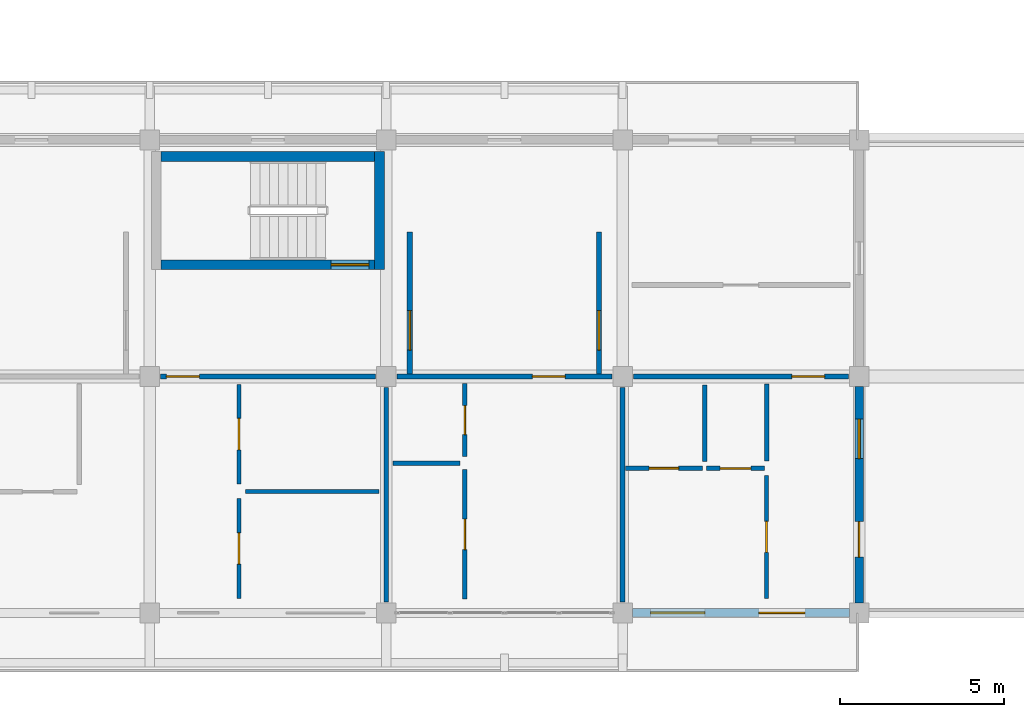
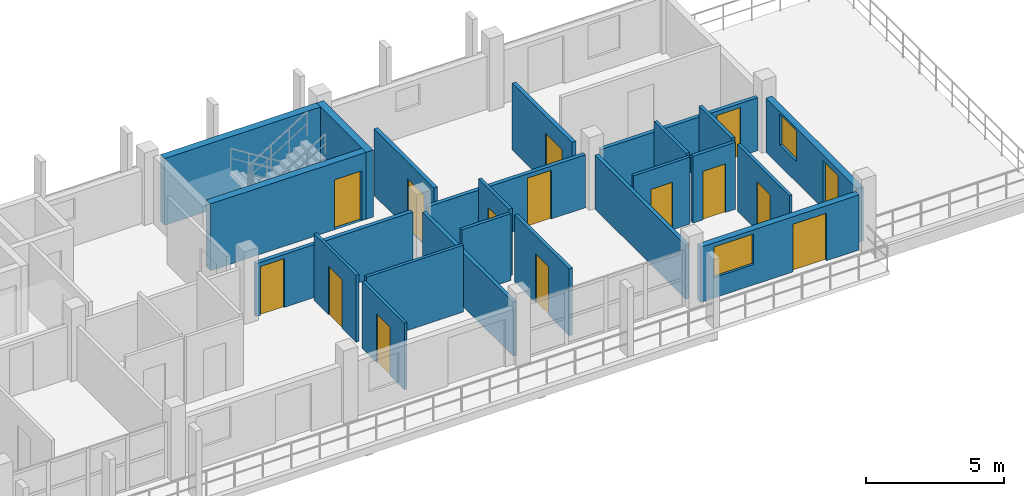
# One storey, part 42 of 78: 23 walls, 15 doors, 2 windows, 17 openings.
"""IFC4 building model written with IfcOpenShell, lengths in metres."""

from ifc_helpers import new_model, si_unit, direction, frame, frame_2d, origin, place, context, subcontext, project, spatial, rectangle, extrude, material, layer, layer_set, type_object, element, fill, save


model = new_model("IFC4")

# Units and contexts
model_context = context("Model", 3, precision=1e-05, world=origin(), true_north=direction((0.0, 1.0)))
body_context = subcontext(model_context, "Body", "Model", "MODEL_VIEW")
ifc_project = project(units=[si_unit("LENGTHUNIT", "METRE"), si_unit("AREAUNIT", "SQUARE_METRE"), si_unit("VOLUMEUNIT", "CUBIC_METRE"), si_unit("PLANEANGLEUNIT", "RADIAN"), si_unit("MASSUNIT", "GRAM", prefix="KILO")], contexts=[model_context])

# Site, building, storey
site_placement = place(None, origin())
site = spatial("IfcSite", under=ifc_project, at=site_placement, CompositionType="ELEMENT")
building_placement = place(site_placement, origin())
building = spatial("IfcBuilding", under=site, at=building_placement, Name="Suanplinth Sawtooth Commons", CompositionType="ELEMENT")
storey_placement = place(building_placement, frame((0.0, 0.0, 15.39990234375)))
storey = spatial("IfcBuildingStorey", under=building, at=storey_placement, Name="L04", CompositionType="ELEMENT", Elevation=15.39990234375)

# Wall, opening, door
ifc_material_1 = material(Name="Concrete C40/50", Category="concrete")
ifc_layer_1 = layer(ifc_material_1, 0.300048828125, Name="Standard RC stair and lift core wall 300mm")
ifc_layer_set_1 = layer_set([ifc_layer_1], Name="Concrete C40/50")
wall_type_1 = type_object("IfcWallType", Name="W-CR02", PredefinedType="SHEAR", material=ifc_layer_set_1)
wall_1_placement = place(storey_placement, frame((29.14990234375, 10.60009765625, 0.0), z_axis=(0.0, 0.0, 1.0), x_axis=(1.0, 0.0, 0.0)))
wall_1 = element("IfcWall", 1, at=wall_1_placement, inside=storey, type_object=wall_type_1, Name="W-L04-C-D2-STS", PredefinedType="SHEAR", context=body_context, shape_type="SweptSolid", body=[
    extrude(rectangle(XDim=6.5, YDim=0.300048828125, at=frame_2d((3.25, 0.0))), origin(), (0.0, 0.0, 1.0), 2.9501953125),
])
opening_1_placement = place(wall_1_placement, frame((5.169921875, 0.0, 0.0)))
opening_1 = element("IfcOpeningElement", 2, at=opening_1_placement, cuts=wall_1, Name="Opening FD0412", PredefinedType="OPENING", context=body_context, shape_type="SweptSolid", body=[
    extrude(rectangle(XDim=1.14990234375, YDim=2.199951171875, at=frame_2d((0.574951171875, 1.10009765625))), frame((0.0, 0.1650390625, 0.0), z_axis=(0.0, -1.0, 0.0), x_axis=(1.0, 0.0, 0.0)), (0.0, 0.0, 1.0), 0.329833984375),
])
ifc_material_2 = material(Name="Teak hardwood fire-rated door assembly", Category="wood")
door_type_1 = type_object("IfcDoorType", Name="FD-01", OperationType="NOTDEFINED", PredefinedType="DOOR", material=ifc_material_2)
door_1_placement = place(opening_1_placement, origin())
door_1 = element("IfcDoor", 3, at=door_1_placement, inside=storey, type_object=door_type_1, Name="Exit Stair Fire Door FD0412", OperationType="SINGLE_SWING_LEFT", OverallHeight=2.199951171875, OverallWidth=1.14990234375, PredefinedType="DOOR", context=body_context, shape_type="SweptSolid", body=[
    extrude(rectangle(XDim=1.14990234375, YDim=2.199951171875, at=frame_2d((0.574951171875, 1.10009765625))), frame((0.0, 0.02490234375, 0.0), z_axis=(0.0, -1.0, 0.0), x_axis=(1.0, 0.0, 0.0)), (0.0, 0.0, 1.0), 0.050048828125),
])
fill(opening_1, door_1)

# Walls
wall_2_placement = place(storey_placement, frame((29.14990234375, 13.89990234375, 0.0), z_axis=(0.0, 0.0, 1.0), x_axis=(1.0, 0.0, 0.0)))
element("IfcWall", 4, at=wall_2_placement, inside=storey, type_object=wall_type_1, Name="W-L04-C-D2-STN", PredefinedType="SHEAR", context=body_context, shape_type="SweptSolid", body=[
    extrude(rectangle(XDim=6.5, YDim=0.300048828125, at=frame_2d((3.25, 0.0))), origin(), (0.0, 0.0, 1.0), 2.9501953125),
])
wall_3_placement = place(storey_placement, frame((35.800048828125, 10.449951171875, 0.0), z_axis=(0.0, 0.0, 1.0), x_axis=(0.0, 1.0, 0.0)))
element("IfcWall", 5, at=wall_3_placement, inside=storey, type_object=wall_type_1, Name="W-L04-C-D2-STE", PredefinedType="SHEAR", context=body_context, shape_type="SweptSolid", body=[
    extrude(rectangle(XDim=3.60009765625, YDim=0.300048828125, at=frame_2d((1.800048828125, 0.0))), origin(), (0.0, 0.0, 1.0), 2.9501953125),
])

# Wall, openings, door, window
ifc_material_3 = material(Name="Precast concrete C40/50", Category="concrete")
ifc_layer_2 = layer(ifc_material_3, 0.260009765625, Name="Insulated precast courtyard facade wall 260mm")
ifc_layer_set_2 = layer_set([ifc_layer_2], Name="Precast concrete C40/50")
wall_type_2 = type_object("IfcWallType", Name="W-EX02", PredefinedType="ELEMENTEDWALL", material=ifc_layer_set_2)
wall_4_placement = place(storey_placement, frame((43.5, 0.0, 0.0), z_axis=(0.0, 0.0, 1.0), x_axis=(1.0, 0.0, 0.0)))
wall_4 = element("IfcWall", 6, at=wall_4_placement, inside=storey, type_object=wall_type_2, Name="Facade Wall W-L04-D-S-6-0", PredefinedType="ELEMENTEDWALL", context=body_context, shape_type="SweptSolid", body=[
    extrude(rectangle(XDim=6.60009765625, YDim=0.260009765625, at=frame_2d((3.300048828125, 0.0))), origin(), (0.0, 0.0, 1.0), 2.43017578125),
])
opening_2_placement = place(wall_4_placement, frame((3.85009765625, 0.0, 0.0)))
opening_2 = element("IfcOpeningElement", 7, at=opening_2_placement, cuts=wall_4, Name="Opening ED0392", PredefinedType="OPENING", context=body_context, shape_type="SweptSolid", body=[
    extrude(rectangle(XDim=1.39990234375, YDim=2.10009765625, at=frame_2d((0.699951171875, 1.050048828125))), frame((0.0, 0.14501953125, 0.0), z_axis=(0.0, -1.0, 0.0), x_axis=(1.0, 0.0, 0.0)), (0.0, 0.0, 1.0), 0.289794921875),
])
opening_3_placement = place(wall_4_placement, frame((0.550048828125, 0.0, 0.89990234375)))
opening_3 = element("IfcOpeningElement", 8, at=opening_3_placement, cuts=wall_4, Name="Opening W0489", PredefinedType="OPENING", context=body_context, shape_type="SweptSolid", body=[
    extrude(rectangle(XDim=1.64990234375, YDim=1.35009765625, at=frame_2d((0.824951171875, 0.675048828125))), frame((0.0, 0.14501953125, 0.0), z_axis=(0.0, -1.0, 0.0), x_axis=(1.0, 0.0, 0.0)), (0.0, 0.0, 1.0), 0.289794921875),
])
ifc_material_4 = material(Name="Anodized aluminium and low-E glass", Category="aluminium")
door_type_2 = type_object("IfcDoorType", Name="SD-07", OperationType="SLIDING_TO_RIGHT", PredefinedType="DOOR", material=ifc_material_4)
door_2_placement = place(opening_2_placement, frame((1.39990234375, 0.0, 0.0), z_axis=(0.0, 0.0, 1.0), x_axis=(-1.0, 0.0, 0.0)))
door_2 = element("IfcDoor", 9, at=door_2_placement, inside=storey, type_object=door_type_2, Name="Balcony Sliding Door L04-D-6", OperationType="SLIDING_TO_RIGHT", OverallHeight=2.10009765625, OverallWidth=1.39990234375, PredefinedType="DOOR", context=body_context, shape_type="SweptSolid", body=[
    extrude(rectangle(XDim=1.39990234375, YDim=2.10009765625, at=frame_2d((0.699951171875, 1.050048828125))), frame((0.0, 0.02490234375, 0.0), z_axis=(0.0, -1.0, 0.0), x_axis=(1.0, 0.0, 0.0)), (0.0, 0.0, 1.0), 0.050048828125),
])
fill(opening_2, door_2)
ifc_material_5 = material(Name="Thermally broken aluminium and low-E double glazing", Category="aluminium")
window_type_1 = type_object("IfcWindowType", Name="WN-19", PartitioningType="DOUBLE_PANEL_VERTICAL", PredefinedType="WINDOW", material=ifc_material_5)
window_1_placement = place(opening_3_placement, origin())
window_1 = element("IfcWindow", 10, at=window_1_placement, inside=storey, type_object=window_type_1, Name="Apartment Window L04-D-6", OverallHeight=1.35009765625, OverallWidth=1.64990234375, PartitioningType="DOUBLE_PANEL_VERTICAL", PredefinedType="WINDOW", context=body_context, shape_type="SweptSolid", body=[
    extrude(rectangle(XDim=1.64990234375, YDim=1.35009765625, at=frame_2d((0.824951171875, 0.675048828125))), frame((0.0, 0.030029296875, 0.0), z_axis=(0.0, -1.0, 0.0), x_axis=(1.0, 0.0, 0.0)), (0.0, 0.0, 1.0), 0.06005859375),
])
fill(opening_3, window_1)

wall_5_placement = place(storey_placement, frame((50.39990234375, 0.300048828125, 0.0), z_axis=(0.0, 0.0, 1.0), x_axis=(0.0, 1.0, 0.0)))
wall_5 = element("IfcWall", 11, at=wall_5_placement, inside=storey, type_object=wall_type_2, Name="Facade Wall W-L04-D-E-6-0", PredefinedType="ELEMENTEDWALL", context=body_context, shape_type="SweptSolid", body=[
    extrude(rectangle(XDim=6.599853515625, YDim=0.260009765625, at=frame_2d((3.2998046875, 0.0))), origin(), (0.0, 0.0, 1.0), 2.385009765625),
])
opening_4_placement = place(wall_5_placement, frame((1.39990234375, 0.0, 0.0)))
opening_4 = element("IfcOpeningElement", 12, at=opening_4_placement, cuts=wall_5, Name="Opening ED0393", PredefinedType="OPENING", context=body_context, shape_type="SweptSolid", body=[
    extrude(rectangle(XDim=1.080078125, YDim=2.1201171875, at=frame_2d((0.5400390625, 1.06005859375))), frame((0.0, 0.14501953125, 0.0), z_axis=(0.0, -1.0, 0.0), x_axis=(1.0, 0.0, 0.0)), (0.0, 0.0, 1.0), 0.289794921875),
])
opening_5_placement = place(wall_5_placement, frame((4.39990234375, 0.0, 0.925048828125)))
opening_5 = element("IfcOpeningElement", 13, at=opening_5_placement, cuts=wall_5, Name="Opening W0490", PredefinedType="OPENING", context=body_context, shape_type="SweptSolid", body=[
    extrude(rectangle(XDim=1.199951171875, YDim=1.35009765625, at=frame_2d((0.60009765625, 0.675048828125))), frame((0.0, 0.14501953125, 0.0), z_axis=(0.0, -1.0, 0.0), x_axis=(1.0, 0.0, 0.0)), (0.0, 0.0, 1.0), 0.289794921875),
])
door_type_3 = type_object("IfcDoorType", Name="ED-10", OperationType="NOTDEFINED", PredefinedType="DOOR", material=ifc_material_4)
door_3_placement = place(opening_4_placement, frame((1.080078125, 0.0, 0.0), z_axis=(0.0, 0.0, 1.0), x_axis=(-1.0, 0.0, 0.0)))
door_3 = element("IfcDoor", 14, at=door_3_placement, inside=storey, type_object=door_type_3, Name="L04 Block D Stepped Sky-Terrace Door 2", OperationType="SINGLE_SWING_RIGHT", OverallHeight=2.1201171875, OverallWidth=1.080078125, PredefinedType="DOOR", context=body_context, shape_type="SweptSolid", body=[
    extrude(rectangle(XDim=1.080078125, YDim=2.1201171875, at=frame_2d((0.5400390625, 1.06005859375))), frame((0.0, 0.02490234375, 0.0), z_axis=(0.0, -1.0, 0.0), x_axis=(1.0, 0.0, 0.0)), (0.0, 0.0, 1.0), 0.050048828125),
])
fill(opening_4, door_3)
window_type_2 = type_object("IfcWindowType", Name="WN-03", PartitioningType="SINGLE_PANEL", PredefinedType="WINDOW", material=ifc_material_5)
window_2_placement = place(opening_5_placement, origin())
window_2 = element("IfcWindow", 15, at=window_2_placement, inside=storey, type_object=window_type_2, Name="Terrace Bedroom Window L04-D-6-0", OverallHeight=1.35009765625, OverallWidth=1.199951171875, PartitioningType="SINGLE_PANEL", PredefinedType="WINDOW", context=body_context, shape_type="SweptSolid", body=[
    extrude(rectangle(XDim=1.199951171875, YDim=1.35009765625, at=frame_2d((0.60009765625, 0.675048828125))), frame((0.0, 0.030029296875, 0.0), z_axis=(0.0, -1.0, 0.0), x_axis=(1.0, 0.0, 0.0)), (0.0, 0.0, 1.0), 0.06005859375),
])
fill(opening_5, window_2)

# Wall, opening, door
ifc_layer_3 = layer(ifc_material_3, 0.159912109375, Name="Fire-rated corridor and lobby wall 160mm")
ifc_layer_set_3 = layer_set([ifc_layer_3], Name="Precast concrete C40/50")
wall_type_3 = type_object("IfcWallType", Name="W-FW01", PredefinedType="PARTITIONING", material=ifc_layer_set_3)
wall_6_placement = place(storey_placement, frame((36.719970703125, 7.280029296875, 0.0), z_axis=(0.0, 0.0, 1.0), x_axis=(0.0, 1.0, 0.0)))
wall_6 = element("IfcWall", 16, at=wall_6_placement, inside=storey, type_object=wall_type_3, Name="W-L04-C-D2-LOB-W", PredefinedType="PARTITIONING", context=body_context, shape_type="SweptSolid", body=[
    extrude(rectangle(XDim=4.320068359375, YDim=0.159912109375, at=frame_2d((2.16015625, 0.0))), origin(), (0.0, 0.0, 1.0), 2.9501953125),
])
opening_6_placement = place(wall_6_placement, frame((0.719970703125, 0.0, 0.0)))
opening_6 = element("IfcOpeningElement", 17, at=opening_6_placement, cuts=wall_6, Name="Opening FD0413", PredefinedType="OPENING", context=body_context, shape_type="SweptSolid", body=[
    extrude(rectangle(XDim=1.199951171875, YDim=2.199951171875, at=frame_2d((0.60009765625, 1.10009765625))), frame((0.0, 0.0947265625, 0.0), z_axis=(0.0, -1.0, 0.0), x_axis=(1.0, 0.0, 0.0)), (0.0, 0.0, 1.0), 0.189697265625),
])
door_type_4 = type_object("IfcDoorType", Name="FD-02", OperationType="NOTDEFINED", PredefinedType="DOOR", material=ifc_material_2)
door_4_placement = place(opening_6_placement, origin())
door_4 = element("IfcDoor", 18, at=door_4_placement, inside=storey, type_object=door_type_4, Name="Lobby Fire Door FD0413", OperationType="SINGLE_SWING_RIGHT", OverallHeight=2.199951171875, OverallWidth=1.199951171875, PredefinedType="DOOR", context=body_context, shape_type="SweptSolid", body=[
    extrude(rectangle(XDim=1.199951171875, YDim=2.199951171875, at=frame_2d((0.60009765625, 1.10009765625))), frame((0.0, 0.02490234375, 0.0), z_axis=(0.0, -1.0, 0.0), x_axis=(1.0, 0.0, 0.0)), (0.0, 0.0, 1.0), 0.050048828125),
])
fill(opening_6, door_4)

wall_7_placement = place(storey_placement, frame((42.47998046875, 7.280029296875, 0.0), z_axis=(0.0, 0.0, 1.0), x_axis=(0.0, 1.0, 0.0)))
wall_7 = element("IfcWall", 19, at=wall_7_placement, inside=storey, type_object=wall_type_3, Name="W-L04-C-D2-LOB-E", PredefinedType="PARTITIONING", context=body_context, shape_type="SweptSolid", body=[
    extrude(rectangle(XDim=4.320068359375, YDim=0.159912109375, at=frame_2d((2.16015625, 0.0))), origin(), (0.0, 0.0, 1.0), 2.9501953125),
])
opening_7_placement = place(wall_7_placement, frame((0.719970703125, 0.0, 0.0)))
opening_7 = element("IfcOpeningElement", 20, at=opening_7_placement, cuts=wall_7, Name="Opening FD0414", PredefinedType="OPENING", context=body_context, shape_type="SweptSolid", body=[
    extrude(rectangle(XDim=1.199951171875, YDim=2.199951171875, at=frame_2d((0.60009765625, 1.10009765625))), frame((0.0, 0.0947265625, 0.0), z_axis=(0.0, -1.0, 0.0), x_axis=(1.0, 0.0, 0.0)), (0.0, 0.0, 1.0), 0.189697265625),
])
door_5_placement = place(opening_7_placement, frame((1.199951171875, 0.0, 0.0), z_axis=(0.0, 0.0, 1.0), x_axis=(-1.0, 0.0, 0.0)))
door_5 = element("IfcDoor", 21, at=door_5_placement, inside=storey, type_object=door_type_4, Name="Lobby Fire Door FD0414", OperationType="SINGLE_SWING_LEFT", OverallHeight=2.199951171875, OverallWidth=1.199951171875, PredefinedType="DOOR", context=body_context, shape_type="SweptSolid", body=[
    extrude(rectangle(XDim=1.199951171875, YDim=2.199951171875, at=frame_2d((0.60009765625, 1.10009765625))), frame((0.0, 0.02490234375, 0.0), z_axis=(0.0, -1.0, 0.0), x_axis=(1.0, 0.0, 0.0)), (0.0, 0.0, 1.0), 0.050048828125),
])
fill(opening_7, door_5)

wall_8_placement = place(storey_placement, frame((29.1298828125, 7.199951171875, 0.0), z_axis=(0.0, 0.0, 1.0), x_axis=(1.0, 0.0, 0.0)))
wall_8 = element("IfcWall", 22, at=wall_8_placement, inside=storey, type_object=wall_type_3, Name="W-D-L04-U03-COR-S2", PredefinedType="PARTITIONING", context=body_context, shape_type="SweptSolid", body=[
    extrude(rectangle(XDim=6.5400390625, YDim=0.159912109375, at=frame_2d((3.27001953125, 0.0))), origin(), (0.0, 0.0, 1.0), 2.335205078125),
])
opening_8_placement = place(wall_8_placement, frame((0.179931640625, 0.0, 0.0)))
opening_8 = element("IfcOpeningElement", 23, at=opening_8_placement, cuts=wall_8, Name="Opening FD1175", PredefinedType="OPENING", context=body_context, shape_type="SweptSolid", body=[
    extrude(rectangle(XDim=1.0, YDim=2.14990234375, at=frame_2d((0.5, 1.074951171875))), frame((0.0, 0.0947265625, 0.0), z_axis=(0.0, -1.0, 0.0), x_axis=(1.0, 0.0, 0.0)), (0.0, 0.0, 1.0), 0.189697265625),
])
door_type_5 = type_object("IfcDoorType", Name="FD-03", OperationType="NOTDEFINED", PredefinedType="DOOR", material=ifc_material_2)
door_6_placement = place(opening_8_placement, frame((1.0, 0.0, 0.0), z_axis=(0.0, 0.0, 1.0), x_axis=(-1.0, 0.0, 0.0)))
door_6 = element("IfcDoor", 24, at=door_6_placement, inside=storey, type_object=door_type_5, Name="Unit Entrance Door FD1175", OperationType="SINGLE_SWING_LEFT", OverallHeight=2.14990234375, OverallWidth=1.0, PredefinedType="DOOR", context=body_context, shape_type="SweptSolid", body=[
    extrude(rectangle(XDim=1.0, YDim=2.14990234375, at=frame_2d((0.5, 1.074951171875))), frame((0.0, 0.02490234375, 0.0), z_axis=(0.0, -1.0, 0.0), x_axis=(1.0, 0.0, 0.0)), (0.0, 0.0, 1.0), 0.050048828125),
])
fill(opening_8, door_6)

wall_9_placement = place(storey_placement, frame((36.330078125, 7.199951171875, 0.0), z_axis=(0.0, 0.0, 1.0), x_axis=(1.0, 0.0, 0.0)))
wall_9 = element("IfcWall", 25, at=wall_9_placement, inside=storey, type_object=wall_type_3, Name="W-D-L04-U04-COR", PredefinedType="PARTITIONING", context=body_context, shape_type="SweptSolid", body=[
    extrude(rectangle(XDim=6.5400390625, YDim=0.159912109375, at=frame_2d((3.27001953125, 0.0))), origin(), (0.0, 0.0, 1.0), 2.335205078125),
])
opening_9_placement = place(wall_9_placement, frame((4.1201171875, 0.0, 0.0)))
opening_9 = element("IfcOpeningElement", 26, at=opening_9_placement, cuts=wall_9, Name="Opening FD1180", PredefinedType="OPENING", context=body_context, shape_type="SweptSolid", body=[
    extrude(rectangle(XDim=1.0, YDim=2.14990234375, at=frame_2d((0.5, 1.074951171875))), frame((0.0, 0.0947265625, 0.0), z_axis=(0.0, -1.0, 0.0), x_axis=(1.0, 0.0, 0.0)), (0.0, 0.0, 1.0), 0.189697265625),
])
door_7_placement = place(opening_9_placement, frame((1.0, 0.0, 0.0), z_axis=(0.0, 0.0, 1.0), x_axis=(-1.0, 0.0, 0.0)))
door_7 = element("IfcDoor", 27, at=door_7_placement, inside=storey, type_object=door_type_5, Name="Unit Entrance Door FD1180", OperationType="SINGLE_SWING_RIGHT", OverallHeight=2.14990234375, OverallWidth=1.0, PredefinedType="DOOR", context=body_context, shape_type="SweptSolid", body=[
    extrude(rectangle(XDim=1.0, YDim=2.14990234375, at=frame_2d((0.5, 1.074951171875))), frame((0.0, 0.02490234375, 0.0), z_axis=(0.0, -1.0, 0.0), x_axis=(1.0, 0.0, 0.0)), (0.0, 0.0, 1.0), 0.050048828125),
])
fill(opening_9, door_7)

wall_10_placement = place(storey_placement, frame((43.530029296875, 7.199951171875, 0.0), z_axis=(0.0, 0.0, 1.0), x_axis=(1.0, 0.0, 0.0)))
wall_10 = element("IfcWall", 28, at=wall_10_placement, inside=storey, type_object=wall_type_3, Name="W-D-L04-U05-COR", PredefinedType="PARTITIONING", context=body_context, shape_type="SweptSolid", body=[
    extrude(rectangle(XDim=6.5400390625, YDim=0.159912109375, at=frame_2d((3.27001953125, 0.0))), origin(), (0.0, 0.0, 1.0), 2.335205078125),
])
opening_10_placement = place(wall_10_placement, frame((4.820068359375, 0.0, 0.0)))
opening_10 = element("IfcOpeningElement", 29, at=opening_10_placement, cuts=wall_10, Name="Opening FD1183", PredefinedType="OPENING", context=body_context, shape_type="SweptSolid", body=[
    extrude(rectangle(XDim=1.0, YDim=2.14990234375, at=frame_2d((0.5, 1.074951171875))), frame((0.0, 0.0947265625, 0.0), z_axis=(0.0, -1.0, 0.0), x_axis=(1.0, 0.0, 0.0)), (0.0, 0.0, 1.0), 0.189697265625),
])
door_8_placement = place(opening_10_placement, frame((1.0, 0.0, 0.0), z_axis=(0.0, 0.0, 1.0), x_axis=(-1.0, 0.0, 0.0)))
door_8 = element("IfcDoor", 30, at=door_8_placement, inside=storey, type_object=door_type_5, Name="Unit Entrance Door FD1183", OperationType="SINGLE_SWING_LEFT", OverallHeight=2.14990234375, OverallWidth=1.0, PredefinedType="DOOR", context=body_context, shape_type="SweptSolid", body=[
    extrude(rectangle(XDim=1.0, YDim=2.14990234375, at=frame_2d((0.5, 1.074951171875))), frame((0.0, 0.02490234375, 0.0), z_axis=(0.0, -1.0, 0.0), x_axis=(1.0, 0.0, 0.0)), (0.0, 0.0, 1.0), 0.050048828125),
])
fill(opening_10, door_8)

# Walls
ifc_layer_4 = layer(ifc_material_3, 0.14990234375, Name="Acoustic precast party demising wall 150mm")
ifc_layer_set_4 = layer_set([ifc_layer_4], Name="Precast concrete C40/50")
wall_type_4 = type_object("IfcWallType", Name="W-FW02", PredefinedType="PARTITIONING", material=ifc_layer_set_4)
for number, where, z_axis, x_axis, name in (
    (31, (36.0, 0.330078125, 0.0), (0.0, 0.0, 1.0), (0.0, 1.0, 0.0), "W-D-L04-U03-PTY"),
    (32, (43.199951171875, 0.330078125, 0.0), (0.0, 0.0, 1.0), (0.0, 1.0, 0.0), "W-D-L04-U04-PTY"),
):
    element("IfcWall", number, at=place(storey_placement, frame(where, z_axis=z_axis, x_axis=x_axis)), inside=storey, type_object=wall_type_4, Name=name, PredefinedType="PARTITIONING", context=body_context, shape_type="SweptSolid", body=[
        extrude(rectangle(XDim=6.5400390625, YDim=0.14990234375, at=frame_2d((3.27001953125, 0.0))), origin(), (0.0, 0.0, 1.0), 2.385009765625),
    ])

# Wall, opening, door
ifc_material_6 = material(Name="Gypsum plasterboard on steel stud", Category="steel")
ifc_layer_5 = layer(ifc_material_6, 0.139892578125, Name="Fire-rated kitchen partition 140mm")
ifc_layer_set_5 = layer_set([ifc_layer_5], Name="Gypsum plasterboard on steel stud")
wall_type_5 = type_object("IfcWallType", Name="W-PT01", PredefinedType="PARTITIONING", material=ifc_layer_set_5)
wall_11_placement = place(storey_placement, frame((38.39501953125, 0.419921875, 0.0), z_axis=(0.0, 0.0, 1.0), x_axis=(0.0, 1.0, 0.0)))
wall_11 = element("IfcWall", 33, at=wall_11_placement, inside=storey, type_object=wall_type_5, Name="W-D-L04-U04-KITE", PredefinedType="PARTITIONING", context=body_context, shape_type="SweptSolid", body=[
    extrude(rectangle(XDim=3.940185546875, YDim=0.139892578125, at=frame_2d((1.97021484375, 0.0))), origin(), (0.0, 0.0, 1.0), 2.9501953125),
])
opening_11_placement = place(wall_11_placement, frame((1.5048828125, 0.0, 0.0)))
opening_11 = element("IfcOpeningElement", 34, at=opening_11_placement, cuts=wall_11, Name="Opening D1182", PredefinedType="OPENING", context=body_context, shape_type="SweptSolid", body=[
    extrude(rectangle(XDim=0.929931640625, YDim=2.139892578125, at=frame_2d((0.46484375, 1.06982421875))), frame((0.0, 0.0849609375, 0.0), z_axis=(0.0, -1.0, 0.0), x_axis=(1.0, 0.0, 0.0)), (0.0, 0.0, 1.0), 0.169677734375),
])
ifc_material_7 = material(Name="Teak hardwood", Category="wood")
door_type_6 = type_object("IfcDoorType", Name="D-19", OperationType="NOTDEFINED", PredefinedType="DOOR", material=ifc_material_7)
door_9_placement = place(opening_11_placement, origin())
door_9 = element("IfcDoor", 35, at=door_9_placement, inside=storey, type_object=door_type_6, Name="Kitchen Door D1182", OperationType="SINGLE_SWING_RIGHT", OverallHeight=2.139892578125, OverallWidth=0.929931640625, PredefinedType="DOOR", context=body_context, shape_type="SweptSolid", body=[
    extrude(rectangle(XDim=0.929931640625, YDim=2.139892578125, at=frame_2d((0.46484375, 1.06982421875))), frame((0.0, 0.02490234375, 0.0), z_axis=(0.0, -1.0, 0.0), x_axis=(1.0, 0.0, 0.0)), (0.0, 0.0, 1.0), 0.050048828125),
])
fill(opening_11, door_9)

wall_12_placement = place(storey_placement, frame((45.75, 4.39990234375, 0.0), z_axis=(0.0, 0.0, 1.0), x_axis=(1.0, 0.0, 0.0)))
wall_12 = element("IfcWall", 36, at=wall_12_placement, inside=storey, type_object=wall_type_5, Name="W-D-L04-U05-KIT1", PredefinedType="PARTITIONING", context=body_context, shape_type="SweptSolid", body=[
    extrude(rectangle(XDim=1.77001953125, YDim=0.139892578125, at=frame_2d((0.885009765625, 0.0))), origin(), (0.0, 0.0, 1.0), 2.9501953125),
])
opening_12_placement = place(wall_12_placement, frame((0.419921875, 0.0, 0.0)))
opening_12 = element("IfcOpeningElement", 37, at=opening_12_placement, cuts=wall_12, Name="Opening D1185", PredefinedType="OPENING", context=body_context, shape_type="SweptSolid", body=[
    extrude(rectangle(XDim=0.929931640625, YDim=2.139892578125, at=frame_2d((0.46484375, 1.06982421875))), frame((0.0, 0.0849609375, 0.0), z_axis=(0.0, -1.0, 0.0), x_axis=(1.0, 0.0, 0.0)), (0.0, 0.0, 1.0), 0.169677734375),
])
door_10_placement = place(opening_12_placement, origin())
door_10 = element("IfcDoor", 38, at=door_10_placement, inside=storey, type_object=door_type_6, Name="Kitchen Door D1185", OperationType="SINGLE_SWING_LEFT", OverallHeight=2.139892578125, OverallWidth=0.929931640625, PredefinedType="DOOR", context=body_context, shape_type="SweptSolid", body=[
    extrude(rectangle(XDim=0.929931640625, YDim=2.139892578125, at=frame_2d((0.46484375, 1.06982421875))), frame((0.0, 0.02490234375, 0.0), z_axis=(0.0, -1.0, 0.0), x_axis=(1.0, 0.0, 0.0)), (0.0, 0.0, 1.0), 0.050048828125),
])
fill(opening_12, door_10)

# Walls
wall_13_placement = place(storey_placement, frame((47.590087890625, 4.6201171875, 0.0), z_axis=(0.0, 0.0, 1.0), x_axis=(0.0, 1.0, 0.0)))
element("IfcWall", 39, at=wall_13_placement, inside=storey, type_object=wall_type_5, Name="W-D-L04-U05-KIT2", PredefinedType="PARTITIONING", context=body_context, shape_type="SweptSolid", body=[
    extrude(rectangle(XDim=2.349853515625, YDim=0.139892578125, at=frame_2d((1.1748046875, 0.0))), origin(), (0.0, 0.0, 1.0), 2.9501953125),
])
ifc_layer_6 = layer(ifc_material_6, 0.1298828125, Name="Moisture-resistant bathroom partition 130mm")
ifc_layer_set_6 = layer_set([ifc_layer_6], Name="Gypsum plasterboard on steel stud")
wall_type_6 = type_object("IfcWallType", Name="W-PT02", PredefinedType="PARTITIONING", material=ifc_layer_set_6)
wall_14_placement = place(storey_placement, frame((36.199951171875, 4.56005859375, 0.0), z_axis=(0.0, 0.0, 1.0), x_axis=(1.0, 0.0, 0.0)))
element("IfcWall", 40, at=wall_14_placement, inside=storey, type_object=wall_type_6, Name="W-D-L04-U04-STDIV", PredefinedType="PARTITIONING", context=body_context, shape_type="SweptSolid", body=[
    extrude(rectangle(XDim=2.050048828125, YDim=0.1298828125, at=frame_2d((1.02490234375, 0.0))), origin(), (0.0, 0.0, 1.0), 2.9501953125),
])

# Wall, opening, door
wall_15_placement = place(storey_placement, frame((38.39501953125, 4.760009765625, 0.0), z_axis=(0.0, 0.0, 1.0), x_axis=(0.0, 1.0, 0.0)))
wall_15 = element("IfcWall", 41, at=wall_15_placement, inside=storey, type_object=wall_type_6, Name="W-D-L04-U04-BTHE", PredefinedType="PARTITIONING", context=body_context, shape_type="SweptSolid", body=[
    extrude(rectangle(XDim=2.219970703125, YDim=0.1298828125, at=frame_2d((1.10986328125, 0.0))), origin(), (0.0, 0.0, 1.0), 2.9501953125),
])
opening_13_placement = place(wall_15_placement, frame((0.669921875, 0.0, 0.0)))
opening_13 = element("IfcOpeningElement", 42, at=opening_13_placement, cuts=wall_15, Name="Opening D1181", PredefinedType="OPENING", context=body_context, shape_type="SweptSolid", body=[
    extrude(rectangle(XDim=0.8798828125, YDim=2.10009765625, at=frame_2d((0.43994140625, 1.050048828125))), frame((0.0, 0.079833984375, 0.0), z_axis=(0.0, -1.0, 0.0), x_axis=(1.0, 0.0, 0.0)), (0.0, 0.0, 1.0), 0.15966796875),
])
door_type_7 = type_object("IfcDoorType", Name="D-14", OperationType="NOTDEFINED", PredefinedType="DOOR", material=ifc_material_7)
door_11_placement = place(opening_13_placement, origin())
door_11 = element("IfcDoor", 43, at=door_11_placement, inside=storey, type_object=door_type_7, Name="Bathroom Door D1181", OperationType="SINGLE_SWING_LEFT", OverallHeight=2.10009765625, OverallWidth=0.8798828125, PredefinedType="DOOR", context=body_context, shape_type="SweptSolid", body=[
    extrude(rectangle(XDim=0.8798828125, YDim=2.10009765625, at=frame_2d((0.43994140625, 1.050048828125))), frame((0.0, 0.02490234375, 0.0), z_axis=(0.0, -1.0, 0.0), x_axis=(1.0, 0.0, 0.0)), (0.0, 0.0, 1.0), 0.050048828125),
])
fill(opening_13, door_11)

wall_16_placement = place(storey_placement, frame((43.280029296875, 4.405029296875, 0.0), z_axis=(0.0, 0.0, 1.0), x_axis=(1.0, 0.0, 0.0)))
wall_16 = element("IfcWall", 44, at=wall_16_placement, inside=storey, type_object=wall_type_6, Name="W-D-L04-U05-BTH1", PredefinedType="PARTITIONING", context=body_context, shape_type="SweptSolid", body=[
    extrude(rectangle(XDim=2.349853515625, YDim=0.1298828125, at=frame_2d((1.1748046875, 0.0))), origin(), (0.0, 0.0, 1.0), 2.9501953125),
])
opening_14_placement = place(wall_16_placement, frame((0.72509765625, 0.0, 0.0)))
opening_14 = element("IfcOpeningElement", 45, at=opening_14_placement, cuts=wall_16, Name="Opening D1184", PredefinedType="OPENING", context=body_context, shape_type="SweptSolid", body=[
    extrude(rectangle(XDim=0.89990234375, YDim=2.10009765625, at=frame_2d((0.449951171875, 1.050048828125))), frame((0.0, 0.079833984375, 0.0), z_axis=(0.0, -1.0, 0.0), x_axis=(1.0, 0.0, 0.0)), (0.0, 0.0, 1.0), 0.15966796875),
])
door_type_8 = type_object("IfcDoorType", Name="D-01", OperationType="NOTDEFINED", PredefinedType="DOOR", material=ifc_material_7)
door_12_placement = place(opening_14_placement, origin())
door_12 = element("IfcDoor", 46, at=door_12_placement, inside=storey, type_object=door_type_8, Name="Bathroom Door D1184", OperationType="SINGLE_SWING_RIGHT", OverallHeight=2.10009765625, OverallWidth=0.89990234375, PredefinedType="DOOR", context=body_context, shape_type="SweptSolid", body=[
    extrude(rectangle(XDim=0.89990234375, YDim=2.10009765625, at=frame_2d((0.449951171875, 1.050048828125))), frame((0.0, 0.02490234375, 0.0), z_axis=(0.0, -1.0, 0.0), x_axis=(1.0, 0.0, 0.0)), (0.0, 0.0, 1.0), 0.050048828125),
])
fill(opening_14, door_12)

# Wall
wall_17_placement = place(storey_placement, frame((45.695068359375, 4.610107421875, 0.0), z_axis=(0.0, 0.0, 1.0), x_axis=(0.0, 1.0, 0.0)))
element("IfcWall", 47, at=wall_17_placement, inside=storey, type_object=wall_type_6, Name="W-D-L04-U05-BTH2", PredefinedType="PARTITIONING", context=body_context, shape_type="SweptSolid", body=[
    extrude(rectangle(XDim=2.329833984375, YDim=0.1298828125, at=frame_2d((1.1650390625, 0.0))), origin(), (0.0, 0.0, 1.0), 2.9501953125),
])

# Wall, opening, door
ifc_layer_7 = layer(ifc_material_6, 0.1201171875, Name="Acoustic bedroom partition 120mm")
ifc_layer_set_7 = layer_set([ifc_layer_7], Name="Gypsum plasterboard on steel stud")
wall_type_7 = type_object("IfcWallType", Name="W-PT03", PredefinedType="PARTITIONING", material=ifc_layer_set_7)
wall_18_placement = place(storey_placement, frame((31.52001953125, 0.43994140625, 0.0), z_axis=(0.0, 0.0, 1.0), x_axis=(0.0, 1.0, 0.0)))
wall_18 = element("IfcWall", 48, at=wall_18_placement, inside=storey, type_object=wall_type_7, Name="W-D-L04-U03-BED1", PredefinedType="PARTITIONING", context=body_context, shape_type="SweptSolid", body=[
    extrude(rectangle(XDim=3.0400390625, YDim=0.1201171875, at=frame_2d((1.52001953125, 0.0))), origin(), (0.0, 0.0, 1.0), 2.9501953125),
])
opening_15_placement = place(wall_18_placement, frame((1.044921875, 0.0, 0.0)))
opening_15 = element("IfcOpeningElement", 49, at=opening_15_placement, cuts=wall_18, Name="Opening D1178", PredefinedType="OPENING", context=body_context, shape_type="SweptSolid", body=[
    extrude(rectangle(XDim=0.949951171875, YDim=2.14990234375, at=frame_2d((0.47509765625, 1.074951171875))), frame((0.0, 0.074951171875, 0.0), z_axis=(0.0, -1.0, 0.0), x_axis=(1.0, 0.0, 0.0)), (0.0, 0.0, 1.0), 0.14990234375),
])
door_type_9 = type_object("IfcDoorType", Name="D-03", OperationType="NOTDEFINED", PredefinedType="DOOR", material=ifc_material_7)
door_13_placement = place(opening_15_placement, frame((0.949951171875, 0.0, 0.0), z_axis=(0.0, 0.0, 1.0), x_axis=(-1.0, 0.0, 0.0)))
door_13 = element("IfcDoor", 50, at=door_13_placement, inside=storey, type_object=door_type_9, Name="Bedroom Door D1178", OperationType="SINGLE_SWING_RIGHT", OverallHeight=2.14990234375, OverallWidth=0.949951171875, PredefinedType="DOOR", context=body_context, shape_type="SweptSolid", body=[
    extrude(rectangle(XDim=0.949951171875, YDim=2.14990234375, at=frame_2d((0.47509765625, 1.074951171875))), frame((0.0, 0.02490234375, 0.0), z_axis=(0.0, -1.0, 0.0), x_axis=(1.0, 0.0, 0.0)), (0.0, 0.0, 1.0), 0.050048828125),
])
fill(opening_15, door_13)

wall_19_placement = place(storey_placement, frame((31.52001953125, 3.919921875, 0.0), z_axis=(0.0, 0.0, 1.0), x_axis=(0.0, 1.0, 0.0)))
wall_19 = element("IfcWall", 51, at=wall_19_placement, inside=storey, type_object=wall_type_7, Name="W-D-L04-U03-BED2", PredefinedType="PARTITIONING", context=body_context, shape_type="SweptSolid", body=[
    extrude(rectangle(XDim=3.0400390625, YDim=0.1201171875, at=frame_2d((1.52001953125, 0.0))), origin(), (0.0, 0.0, 1.0), 2.9501953125),
])
opening_16_placement = place(wall_19_placement, frame((1.0400390625, 0.0, 0.0)))
opening_16 = element("IfcOpeningElement", 52, at=opening_16_placement, cuts=wall_19, Name="Opening D1179", PredefinedType="OPENING", context=body_context, shape_type="SweptSolid", body=[
    extrude(rectangle(XDim=0.9599609375, YDim=2.14990234375, at=frame_2d((0.47998046875, 1.074951171875))), frame((0.0, 0.074951171875, 0.0), z_axis=(0.0, -1.0, 0.0), x_axis=(1.0, 0.0, 0.0)), (0.0, 0.0, 1.0), 0.14990234375),
])
door_type_10 = type_object("IfcDoorType", Name="D-13", OperationType="NOTDEFINED", PredefinedType="DOOR", material=ifc_material_7)
door_14_placement = place(opening_16_placement, frame((0.9599609375, 0.0, 0.0), z_axis=(0.0, 0.0, 1.0), x_axis=(-1.0, 0.0, 0.0)))
door_14 = element("IfcDoor", 53, at=door_14_placement, inside=storey, type_object=door_type_10, Name="Second Bedroom Door D1179", OperationType="SINGLE_SWING_LEFT", OverallHeight=2.14990234375, OverallWidth=0.9599609375, PredefinedType="DOOR", context=body_context, shape_type="SweptSolid", body=[
    extrude(rectangle(XDim=0.9599609375, YDim=2.14990234375, at=frame_2d((0.47998046875, 1.074951171875))), frame((0.0, 0.02490234375, 0.0), z_axis=(0.0, -1.0, 0.0), x_axis=(1.0, 0.0, 0.0)), (0.0, 0.0, 1.0), 0.050048828125),
])
fill(opening_16, door_14)

wall_20_placement = place(storey_placement, frame((47.580078125, 0.43994140625, 0.0), z_axis=(0.0, 0.0, 1.0), x_axis=(0.0, 1.0, 0.0)))
wall_20 = element("IfcWall", 54, at=wall_20_placement, inside=storey, type_object=wall_type_7, Name="W-D-L04-U05-BED1", PredefinedType="PARTITIONING", context=body_context, shape_type="SweptSolid", body=[
    extrude(rectangle(XDim=3.75, YDim=0.1201171875, at=frame_2d((1.875, 0.0))), origin(), (0.0, 0.0, 1.0), 2.9501953125),
])
opening_17_placement = place(wall_20_placement, frame((1.39990234375, 0.0, 0.0)))
opening_17 = element("IfcOpeningElement", 55, at=opening_17_placement, cuts=wall_20, Name="Opening D1186", PredefinedType="OPENING", context=body_context, shape_type="SweptSolid", body=[
    extrude(rectangle(XDim=0.949951171875, YDim=2.14990234375, at=frame_2d((0.47509765625, 1.074951171875))), frame((0.0, 0.074951171875, 0.0), z_axis=(0.0, -1.0, 0.0), x_axis=(1.0, 0.0, 0.0)), (0.0, 0.0, 1.0), 0.14990234375),
])
door_15_placement = place(opening_17_placement, origin())
door_15 = element("IfcDoor", 56, at=door_15_placement, inside=storey, type_object=door_type_9, Name="Bedroom Door D1186", OperationType="SINGLE_SWING_RIGHT", OverallHeight=2.14990234375, OverallWidth=0.949951171875, PredefinedType="DOOR", context=body_context, shape_type="SweptSolid", body=[
    extrude(rectangle(XDim=0.949951171875, YDim=2.14990234375, at=frame_2d((0.47509765625, 1.074951171875))), frame((0.0, 0.02490234375, 0.0), z_axis=(0.0, -1.0, 0.0), x_axis=(1.0, 0.0, 0.0)), (0.0, 0.0, 1.0), 0.050048828125),
])
fill(opening_17, door_15)

# Wall
ifc_layer_8 = layer(ifc_material_6, 0.125, Name="Acoustic study partition 125mm")
ifc_layer_set_8 = layer_set([ifc_layer_8], Name="Gypsum plasterboard on steel stud")
wall_type_8 = type_object("IfcWallType", Name="W-PT06", PredefinedType="PARTITIONING", material=ifc_layer_set_8)
wall_21_placement = place(storey_placement, frame((31.719970703125, 3.699951171875, 0.0), z_axis=(0.0, 0.0, 1.0), x_axis=(1.0, 0.0, 0.0)))
element("IfcWall", 57, at=wall_21_placement, inside=storey, type_object=wall_type_8, Name="W-D-L04-U03-BEDDIV", PredefinedType="PARTITIONING", context=body_context, shape_type="SweptSolid", body=[
    extrude(rectangle(XDim=4.06005859375, YDim=0.125, at=frame_2d((2.030029296875, 0.0))), origin(), (0.0, 0.0, 1.0), 2.9501953125),
])

save(model, "model.ifc")
